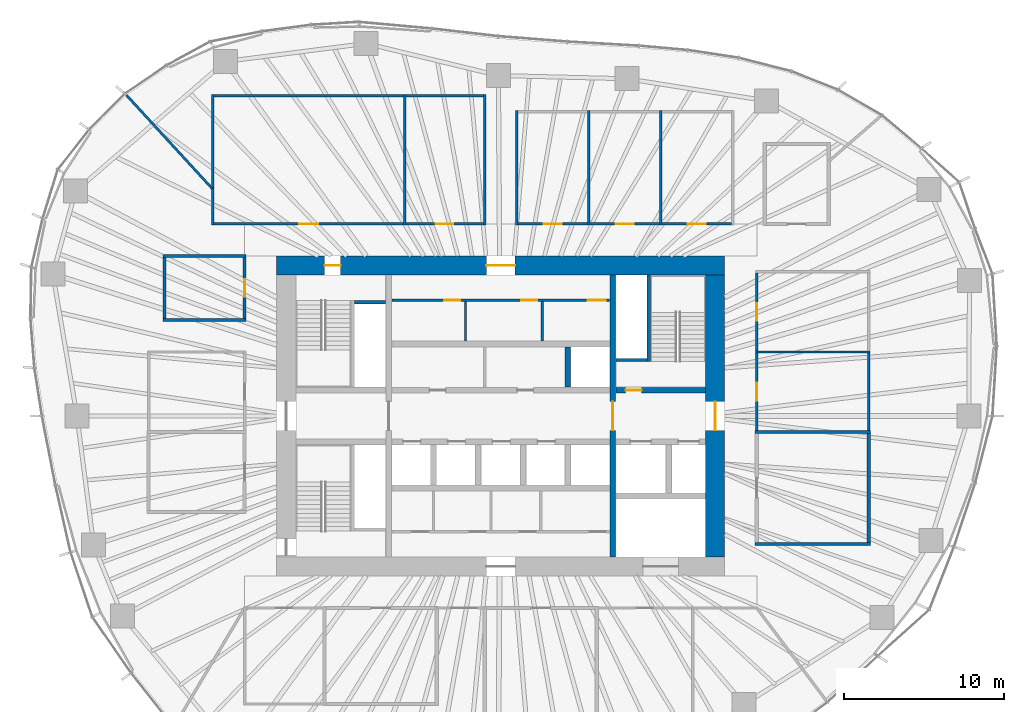
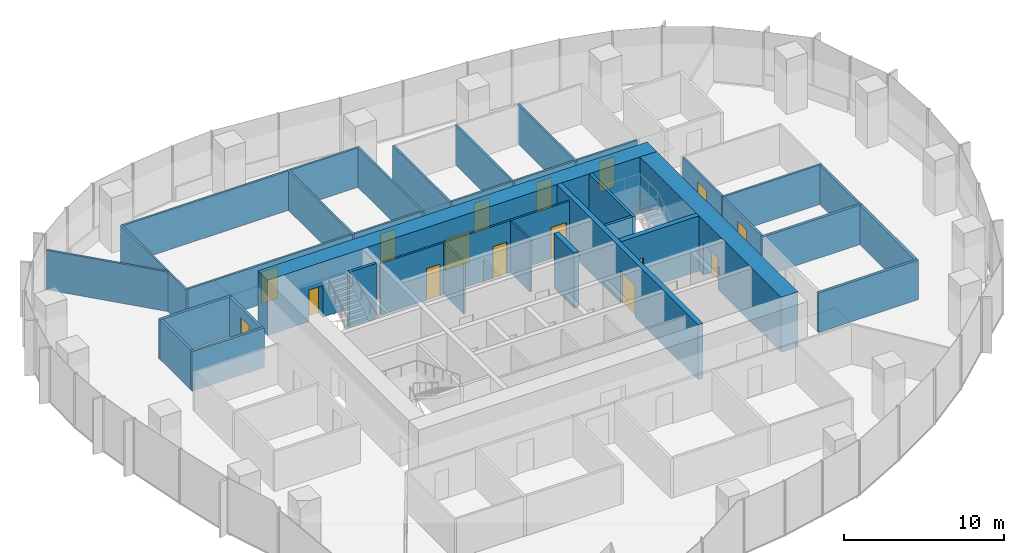
# One storey, part 10 of 18: 36 walls, 16 doors, 16 openings.
"""IFC4 building model written with IfcOpenShell, lengths in metres."""

from ifc_helpers import new_model, si_unit, direction, frame, frame_2d, origin, place, context, subcontext, project, spatial, rectangle, extrude, material, layer, layer_set, type_object, element, fill, save


model = new_model("IFC4")

# Units and contexts
model_context = context("Model", 3, precision=1e-05, world=origin(), true_north=direction((0.0, 1.0)))
body_context = subcontext(model_context, "Body", "Model", "MODEL_VIEW")
ifc_project = project(units=[si_unit("LENGTHUNIT", "METRE"), si_unit("AREAUNIT", "SQUARE_METRE"), si_unit("VOLUMEUNIT", "CUBIC_METRE"), si_unit("PLANEANGLEUNIT", "RADIAN"), si_unit("MASSUNIT", "GRAM", prefix="KILO")], contexts=[model_context])

# Site, building, storey
site_placement = place(None, origin())
site = spatial("IfcSite", under=ifc_project, at=site_placement, CompositionType="ELEMENT")
building_placement = place(site_placement, origin())
building = spatial("IfcBuilding", under=site, at=building_placement, Name="Ghaith Harvest Tower", CompositionType="ELEMENT")
storey_placement = place(building_placement, frame((0.0, 0.0, 121.800048828125)))
storey = spatial("IfcBuildingStorey", under=building, at=storey_placement, Name="L25", CompositionType="ELEMENT", Elevation=121.800048828125)

# Walls
ifc_material_1 = material(Name="Twin-stud gypsum board, acoustic", Category="gypsum")
ifc_layer_1 = layer(ifc_material_1, 0.199951171875)
ifc_layer_set_1 = layer_set([ifc_layer_1], Name="ACOUSTIC PARTITION 200")
wall_type_1 = type_object("IfcWallType", Name="ACOUSTIC PARTITION 200", PredefinedType="PARTITIONING", material=ifc_layer_set_1)
for number, where, z_axis, x_axis, name in (
    (1, (15.89990234375, -8.0, 0.0), (0.0, 0.0, 1.0), (1.0, 0.0, 0.0), "Partition L25 row E5 cross wall 1"),
    (2, (15.89990234375, -1.0, 0.0), (0.0, 0.0, 1.0), (1.0, 0.0, 0.0), "Partition L25 row E5 cross wall 2"),
):
    element("IfcWall", number, at=place(storey_placement, frame(where, z_axis=z_axis, x_axis=x_axis)), inside=storey, type_object=wall_type_1, Name=name, PredefinedType="PARTITIONING", context=body_context, shape_type="SweptSolid", body=[
        extrude(rectangle(XDim=7.2001953125, YDim=0.199951171875, at=frame_2d((3.60009765625, 0.0))), origin(), (0.0, 0.0, 1.0), 3.0),
    ])
wall_1_placement = place(storey_placement, frame((23.0, -7.89990234375, 0.0), z_axis=(0.0, 0.0, 1.0), x_axis=(0.0, 1.0, 0.0)))
element("IfcWall", 3, at=wall_1_placement, inside=storey, type_object=wall_type_1, Name="Partition L25-10", PredefinedType="PARTITIONING", context=body_context, shape_type="SweptSolid", body=[
    extrude(rectangle(XDim=6.7998046875, YDim=0.199951171875, at=frame_2d((3.39990234375, 0.0))), origin(), (0.0, 0.0, 1.0), 3.0),
])
for number, where, z_axis, x_axis, name in (
    (4, (-15.89990234375, 6.0, 0.0), (0.0, 0.0, 1.0), (-1.0, 0.0, 0.0), "Partition L25 row W8 cross wall 1"),
    (5, (-15.89990234375, 10.0, 0.0), (0.0, 0.0, 1.0), (-1.0, 0.0, 0.0), "Partition L25 row W8 cross wall 2"),
):
    element("IfcWall", number, at=place(storey_placement, frame(where, z_axis=z_axis, x_axis=x_axis)), inside=storey, type_object=wall_type_1, Name=name, PredefinedType="PARTITIONING", context=body_context, shape_type="SweptSolid", body=[
        extrude(rectangle(XDim=5.2001953125, YDim=0.199951171875, at=frame_2d((2.60009765625, 0.0))), origin(), (0.0, 0.0, 1.0), 3.0),
    ])

# Wall, opening, door
wall_2_placement = place(storey_placement, frame((-16.0, 6.10009765625, 0.0), z_axis=(0.0, 0.0, 1.0), x_axis=(0.0, 1.0, 0.0)))
wall_2 = element("IfcWall", 6, at=wall_2_placement, inside=storey, type_object=wall_type_1, Name="Partition L25-16", PredefinedType="PARTITIONING", context=body_context, shape_type="SweptSolid", body=[
    extrude(rectangle(XDim=3.7998046875, YDim=0.199951171875, at=frame_2d((1.89990234375, 0.0))), origin(), (0.0, 0.0, 1.0), 3.0),
])
opening_1_placement = place(wall_2_placement, frame((1.35009765625, 0.0, 0.0)))
opening_1 = element("IfcOpeningElement", 7, at=opening_1_placement, cuts=wall_2, Name="Opening 25-041", PredefinedType="OPENING", context=body_context, shape_type="SweptSolid", body=[
    extrude(rectangle(XDim=1.10009765625, YDim=2.300048828125, at=frame_2d((0.550048828125, 1.14990234375))), frame((0.0, 0.10986328125, 0.0), z_axis=(0.0, -1.0, 0.0), x_axis=(1.0, 0.0, 0.0)), (0.0, 0.0, 1.0), 0.219970703125),
])
ifc_material_2 = material(Name="Timber-framed glazed door", Category="wood")
door_type_1 = type_object("IfcDoorType", Name="D12 GLAZED OFFICE 1100x2300", OperationType="SINGLE_SWING_LEFT", PredefinedType="DOOR", material=ifc_material_2)
door_1_placement = place(opening_1_placement, origin())
door_1 = element("IfcDoor", 8, at=door_1_placement, inside=storey, type_object=door_type_1, Name="Quiet room door", OperationType="SINGLE_SWING_LEFT", OverallHeight=2.300048828125, OverallWidth=1.10009765625, PredefinedType="DOOR", context=body_context, shape_type="SweptSolid", body=[
    extrude(rectangle(XDim=1.10009765625, YDim=2.300048828125, at=frame_2d((0.550048828125, 1.14990234375))), frame((0.0, 0.02490234375, 0.0), z_axis=(0.0, -1.0, 0.0), x_axis=(1.0, 0.0, 0.0)), (0.0, 0.0, 1.0), 0.050048828125),
])
fill(opening_1, door_1)

# Wall
wall_3_placement = place(storey_placement, frame((-21.0, 6.10009765625, 0.0), z_axis=(0.0, 0.0, 1.0), x_axis=(0.0, 1.0, 0.0)))
element("IfcWall", 9, at=wall_3_placement, inside=storey, type_object=wall_type_1, Name="Partition L25-16", PredefinedType="PARTITIONING", context=body_context, shape_type="SweptSolid", body=[
    extrude(rectangle(XDim=3.7998046875, YDim=0.199951171875, at=frame_2d((1.89990234375, 0.0))), origin(), (0.0, 0.0, 1.0), 3.0),
])

# Wall, openings, doors
ifc_material_3 = material(Name="Concrete blockwork, fair-faced", Category="masonry")
ifc_layer_2 = layer(ifc_material_3, 0.139892578125)
ifc_layer_set_2 = layer_set([ifc_layer_2], Name="CORE PARTITION 140")
wall_type_2 = type_object("IfcWallType", Name="CORE PARTITION 140", PredefinedType="PARTITIONING", material=ifc_layer_set_2)
wall_4_placement = place(storey_placement, frame((-6.800048828125, 7.22998046875, 0.0), z_axis=(0.0, 0.0, 1.0), x_axis=(1.0, 0.0, 0.0)))
wall_4 = element("IfcWall", 10, at=wall_4_placement, inside=storey, type_object=wall_type_2, Name="Core partition L25", PredefinedType="PARTITIONING", context=body_context, shape_type="SweptSolid", body=[
    extrude(rectangle(XDim=13.60009765625, YDim=0.139892578125, at=frame_2d((6.800048828125, 0.0))), origin(), (0.0, 0.0, 1.0), 3.949951171875),
])
opening_2_placement = place(wall_4_placement, frame((3.280029296875, 0.0, 0.0)))
opening_2 = element("IfcOpeningElement", 11, at=opening_2_placement, cuts=wall_4, Name="Opening 25-008", PredefinedType="OPENING", context=body_context, shape_type="SweptSolid", body=[
    extrude(rectangle(XDim=1.0, YDim=2.39990234375, at=frame_2d((0.5, 1.199951171875))), frame((0.0, 0.080078125, 0.0), z_axis=(0.0, -1.0, 0.0), x_axis=(1.0, 0.0, 0.0)), (0.0, 0.0, 1.0), 0.159912109375),
])
opening_3_placement = place(wall_4_placement, frame((8.080078125, 0.0, 0.0)))
opening_3 = element("IfcOpeningElement", 12, at=opening_3_placement, cuts=wall_4, Name="Opening 25-009", PredefinedType="OPENING", context=body_context, shape_type="SweptSolid", body=[
    extrude(rectangle(XDim=1.0, YDim=2.39990234375, at=frame_2d((0.5, 1.199951171875))), frame((0.0, 0.080078125, 0.0), z_axis=(0.0, -1.0, 0.0), x_axis=(1.0, 0.0, 0.0)), (0.0, 0.0, 1.0), 0.159912109375),
])
opening_4_placement = place(wall_4_placement, frame((12.25, 0.0, 0.0)))
opening_4 = element("IfcOpeningElement", 13, at=opening_4_placement, cuts=wall_4, Name="Opening 25-010", PredefinedType="OPENING", context=body_context, shape_type="SweptSolid", body=[
    extrude(rectangle(XDim=1.10009765625, YDim=2.39990234375, at=frame_2d((0.550048828125, 1.199951171875))), frame((0.0, 0.080078125, 0.0), z_axis=(0.0, -1.0, 0.0), x_axis=(1.0, 0.0, 0.0)), (0.0, 0.0, 1.0), 0.159912109375),
])
ifc_material_4 = material(Name="Steel fire door", Category="steel")
door_type_2 = type_object("IfcDoorType", Name="D3 FD90 1000x2400", OperationType="SINGLE_SWING_LEFT", PredefinedType="DOOR", material=ifc_material_4)
door_2_placement = place(opening_2_placement, origin())
door_2 = element("IfcDoor", 14, at=door_2_placement, inside=storey, type_object=door_type_2, Name="Female WC door", OperationType="SINGLE_SWING_LEFT", OverallHeight=2.39990234375, OverallWidth=1.0, PredefinedType="DOOR", context=body_context, shape_type="SweptSolid", body=[
    extrude(rectangle(XDim=1.0, YDim=2.39990234375, at=frame_2d((0.5, 1.199951171875))), frame((0.0, 0.02490234375, 0.0), z_axis=(0.0, -1.0, 0.0), x_axis=(1.0, 0.0, 0.0)), (0.0, 0.0, 1.0), 0.050048828125),
])
fill(opening_2, door_2)
door_3_placement = place(opening_3_placement, origin())
door_3 = element("IfcDoor", 15, at=door_3_placement, inside=storey, type_object=door_type_2, Name="Male WC door", OperationType="SINGLE_SWING_RIGHT", OverallHeight=2.39990234375, OverallWidth=1.0, PredefinedType="DOOR", context=body_context, shape_type="SweptSolid", body=[
    extrude(rectangle(XDim=1.0, YDim=2.39990234375, at=frame_2d((0.5, 1.199951171875))), frame((0.0, 0.02490234375, 0.0), z_axis=(0.0, -1.0, 0.0), x_axis=(1.0, 0.0, 0.0)), (0.0, 0.0, 1.0), 0.050048828125),
])
fill(opening_3, door_3)
ifc_material_5 = material(Name="Steel fire door", Category="steel")
door_type_3 = type_object("IfcDoorType", Name="D9 FD90 1100x2400", OperationType="SINGLE_SWING_LEFT", PredefinedType="DOOR", material=ifc_material_5)
door_4_placement = place(opening_4_placement, origin())
door_4 = element("IfcDoor", 16, at=door_4_placement, inside=storey, type_object=door_type_3, Name="Accessible WC door", OperationType="SINGLE_SWING_RIGHT", OverallHeight=2.39990234375, OverallWidth=1.10009765625, PredefinedType="DOOR", context=body_context, shape_type="SweptSolid", body=[
    extrude(rectangle(XDim=1.10009765625, YDim=2.39990234375, at=frame_2d((0.550048828125, 1.199951171875))), frame((0.0, 0.02490234375, 0.0), z_axis=(0.0, -1.0, 0.0), x_axis=(1.0, 0.0, 0.0)), (0.0, 0.0, 1.0), 0.050048828125),
])
fill(opening_4, door_4)

# Walls
for number, where, z_axis, x_axis, name in (
    (17, (-2.199951171875, 4.699951171875, 0.0), (0.0, 0.0, 1.0), (0.0, 1.0, 0.0), "Core partition L25"),
    (18, (2.60009765625, 4.699951171875, 0.0), (0.0, 0.0, 1.0), (0.0, 1.0, 0.0), "Core partition L25"),
):
    element("IfcWall", number, at=place(storey_placement, frame(where, z_axis=z_axis, x_axis=x_axis)), inside=storey, type_object=wall_type_2, Name=name, PredefinedType="PARTITIONING", context=body_context, shape_type="SweptSolid", body=[
        extrude(rectangle(XDim=2.4599609375, YDim=0.139892578125, at=frame_2d((1.22998046875, 0.0))), origin(), (0.0, 0.0, 1.0), 3.949951171875),
    ])

# Wall, openings, doors
ifc_material_6 = material(Name="Concrete C60/75", Category="concrete")
ifc_layer_3 = layer(ifc_material_6, 1.199951171875)
ifc_layer_set_3 = layer_set([ifc_layer_3], Name="CORE WALL CW1200 C60")
wall_type_3 = type_object("IfcWallType", Name="CORE WALL CW1200 C60", PredefinedType="SHEAR", material=ifc_layer_set_3)
wall_5_placement = place(storey_placement, frame((14.0, 9.39990234375, 0.0), z_axis=(0.0, 0.0, 1.0), x_axis=(-1.0, 0.0, 0.0)))
wall_5 = element("IfcWall", 19, at=wall_5_placement, inside=storey, type_object=wall_type_3, Name="Core wall N L25", PredefinedType="SHEAR", context=body_context, shape_type="SweptSolid", body=[
    extrude(rectangle(XDim=28.0, YDim=1.199951171875, at=frame_2d((14.0, 0.0))), origin(), (0.0, 0.0, 1.0), 4.199951171875),
])
opening_5_placement = place(wall_5_placement, frame((24.0, 0.0, 0.0)))
opening_5 = element("IfcOpeningElement", 20, at=opening_5_placement, cuts=wall_5, Name="Opening 25-005", PredefinedType="OPENING", context=body_context, shape_type="SweptSolid", body=[
    extrude(rectangle(XDim=1.0, YDim=2.39990234375, at=frame_2d((0.5, 1.199951171875))), frame((0.0, 0.60986328125, 0.0), z_axis=(0.0, -1.0, 0.0), x_axis=(1.0, 0.0, 0.0)), (0.0, 0.0, 1.0), 1.219970703125),
])
opening_6_placement = place(wall_5_placement, frame((13.10009765625, 0.0, 0.0)))
opening_6 = element("IfcOpeningElement", 21, at=opening_6_placement, cuts=wall_5, Name="Opening 25-017", PredefinedType="OPENING", context=body_context, shape_type="SweptSolid", body=[
    extrude(rectangle(XDim=1.800048828125, YDim=2.39990234375, at=frame_2d((0.89990234375, 1.199951171875))), frame((0.0, 0.60986328125, 0.0), z_axis=(0.0, -1.0, 0.0), x_axis=(1.0, 0.0, 0.0)), (0.0, 0.0, 1.0), 1.219970703125),
])
door_5_placement = place(opening_5_placement, origin())
door_5 = element("IfcDoor", 22, at=door_5_placement, inside=storey, type_object=door_type_2, Name="Stair ST1 door", OperationType="SINGLE_SWING_RIGHT", OverallHeight=2.39990234375, OverallWidth=1.0, PredefinedType="DOOR", context=body_context, shape_type="SweptSolid", body=[
    extrude(rectangle(XDim=1.0, YDim=2.39990234375, at=frame_2d((0.5, 1.199951171875))), frame((0.0, 0.02490234375, 0.0), z_axis=(0.0, -1.0, 0.0), x_axis=(1.0, 0.0, 0.0)), (0.0, 0.0, 1.0), 0.050048828125),
])
fill(opening_5, door_5)
ifc_material_7 = material(Name="Steel fire door", Category="steel")
door_type_4 = type_object("IfcDoorType", Name="D4 FD90 PAIR 1800x2400", OperationType="DOUBLE_DOOR_SINGLE_SWING", PredefinedType="DOOR", material=ifc_material_7)
door_6_placement = place(opening_6_placement, origin())
door_6 = element("IfcDoor", 23, at=door_6_placement, inside=storey, type_object=door_type_4, Name="Core service corridor doors", OperationType="DOUBLE_DOOR_SINGLE_SWING", OverallHeight=2.39990234375, OverallWidth=1.800048828125, PredefinedType="DOOR", context=body_context, shape_type="SweptSolid", body=[
    extrude(rectangle(XDim=1.800048828125, YDim=2.39990234375, at=frame_2d((0.89990234375, 1.199951171875))), frame((0.0, 0.02490234375, 0.0), z_axis=(0.0, -1.0, 0.0), x_axis=(1.0, 0.0, 0.0)), (0.0, 0.0, 1.0), 0.050048828125),
])
fill(opening_6, door_6)

# Wall, opening, door
wall_6_placement = place(storey_placement, frame((13.39990234375, -8.800048828125, 0.0), z_axis=(0.0, 0.0, 1.0), x_axis=(0.0, 1.0, 0.0)))
wall_6 = element("IfcWall", 24, at=wall_6_placement, inside=storey, type_object=wall_type_3, Name="Core wall E L25", PredefinedType="SHEAR", context=body_context, shape_type="SweptSolid", body=[
    extrude(rectangle(XDim=17.60009765625, YDim=1.199951171875, at=frame_2d((8.800048828125, 0.0))), origin(), (0.0, 0.0, 1.0), 4.199951171875),
])
opening_7_placement = place(wall_6_placement, frame((7.89990234375, 0.0, 0.0)))
opening_7 = element("IfcOpeningElement", 25, at=opening_7_placement, cuts=wall_6, Name="Opening 25-002", PredefinedType="OPENING", context=body_context, shape_type="SweptSolid", body=[
    extrude(rectangle(XDim=1.800048828125, YDim=2.39990234375, at=frame_2d((0.89990234375, 1.199951171875))), frame((0.0, 0.60986328125, 0.0), z_axis=(0.0, -1.0, 0.0), x_axis=(1.0, 0.0, 0.0)), (0.0, 0.0, 1.0), 1.219970703125),
])
door_7_placement = place(opening_7_placement, origin())
door_7 = element("IfcDoor", 26, at=door_7_placement, inside=storey, type_object=door_type_4, Name="Fire-fighting lobby doors", OperationType="DOUBLE_DOOR_SINGLE_SWING", OverallHeight=2.39990234375, OverallWidth=1.800048828125, PredefinedType="DOOR", context=body_context, shape_type="SweptSolid", body=[
    extrude(rectangle(XDim=1.800048828125, YDim=2.39990234375, at=frame_2d((0.89990234375, 1.199951171875))), frame((0.0, 0.02490234375, 0.0), z_axis=(0.0, -1.0, 0.0), x_axis=(1.0, 0.0, 0.0)), (0.0, 0.0, 1.0), 0.050048828125),
])
fill(opening_7, door_7)

# Walls
ifc_material_8 = material(Name="Gypsum board on steel studs", Category="steel")
ifc_layer_4 = layer(ifc_material_8, 0.14990234375)
ifc_layer_set_4 = layer_set([ifc_layer_4], Name="PARTITION 150")
wall_type_4 = type_object("IfcWallType", Name="PARTITION 150", PredefinedType="PARTITIONING", material=ifc_layer_set_4)
for number, where, z_axis, x_axis, name in (
    (27, (-18.0, 11.925048828125, 0.0), (0.0, 0.0, 1.0), (0.0, 1.0, 0.0), "Partition L25 row N1 cross wall 1"),
    (28, (-6.0, 11.925048828125, 0.0), (0.0, 0.0, 1.0), (0.0, 1.0, 0.0), "Partition L25 row N1 cross wall 2"),
    (29, (-1.0, 11.925048828125, 0.0), (0.0, 0.0, 1.0), (0.0, 1.0, 0.0), "Partition L25 row N1 cross wall 3"),
):
    element("IfcWall", number, at=place(storey_placement, frame(where, z_axis=z_axis, x_axis=x_axis)), inside=storey, type_object=wall_type_4, Name=name, PredefinedType="PARTITIONING", context=body_context, shape_type="SweptSolid", body=[
        extrude(rectangle(XDim=8.14990234375, YDim=0.14990234375, at=frame_2d((4.074951171875, 0.0))), origin(), (0.0, 0.0, 1.0), 3.0),
    ])

# Wall, opening, door
wall_7_placement = place(storey_placement, frame((-17.925048828125, 12.0, 0.0), z_axis=(0.0, 0.0, 1.0), x_axis=(1.0, 0.0, 0.0)))
wall_7 = element("IfcWall", 30, at=wall_7_placement, inside=storey, type_object=wall_type_4, Name="Partition L25-01", PredefinedType="PARTITIONING", context=body_context, shape_type="SweptSolid", body=[
    extrude(rectangle(XDim=11.85009765625, YDim=0.14990234375, at=frame_2d((5.925048828125, 0.0))), origin(), (0.0, 0.0, 1.0), 3.0),
])
opening_8_placement = place(wall_7_placement, frame((5.324951171875, 0.0, 0.0)))
opening_8 = element("IfcOpeningElement", 31, at=opening_8_placement, cuts=wall_7, Name="Opening 25-026", PredefinedType="OPENING", context=body_context, shape_type="SweptSolid", body=[
    extrude(rectangle(XDim=1.199951171875, YDim=2.39990234375, at=frame_2d((0.60009765625, 1.199951171875))), frame((0.0, 0.0849609375, 0.0), z_axis=(0.0, -1.0, 0.0), x_axis=(1.0, 0.0, 0.0)), (0.0, 0.0, 1.0), 0.169921875),
])
ifc_material_9 = material(Name="Timber door", Category="wood")
door_type_5 = type_object("IfcDoorType", Name="D11 GLAZED 1200x2400", OperationType="SINGLE_SWING_LEFT", PredefinedType="DOOR", material=ifc_material_9)
door_8_placement = place(opening_8_placement, origin())
door_8 = element("IfcDoor", 32, at=door_8_placement, inside=storey, type_object=door_type_5, Name="Agronomy studio door", OperationType="SINGLE_SWING_LEFT", OverallHeight=2.39990234375, OverallWidth=1.199951171875, PredefinedType="DOOR", context=body_context, shape_type="SweptSolid", body=[
    extrude(rectangle(XDim=1.199951171875, YDim=2.39990234375, at=frame_2d((0.60009765625, 1.199951171875))), frame((0.0, 0.02490234375, 0.0), z_axis=(0.0, -1.0, 0.0), x_axis=(1.0, 0.0, 0.0)), (0.0, 0.0, 1.0), 0.050048828125),
])
fill(opening_8, door_8)

# Wall
wall_8_placement = place(storey_placement, frame((-17.925048828125, 20.0, 0.0), z_axis=(0.0, 0.0, 1.0), x_axis=(1.0, 0.0, 0.0)))
element("IfcWall", 33, at=wall_8_placement, inside=storey, type_object=wall_type_4, Name="Partition L25-01", PredefinedType="PARTITIONING", context=body_context, shape_type="SweptSolid", body=[
    extrude(rectangle(XDim=11.85009765625, YDim=0.14990234375, at=frame_2d((5.925048828125, 0.0))), origin(), (0.0, 0.0, 1.0), 3.0),
])

# Wall, opening, door
wall_9_placement = place(storey_placement, frame((-5.925048828125, 12.0, 0.0), z_axis=(0.0, 0.0, 1.0), x_axis=(1.0, 0.0, 0.0)))
wall_9 = element("IfcWall", 34, at=wall_9_placement, inside=storey, type_object=wall_type_4, Name="Partition L25-02", PredefinedType="PARTITIONING", context=body_context, shape_type="SweptSolid", body=[
    extrude(rectangle(XDim=4.85009765625, YDim=0.14990234375, at=frame_2d((2.425048828125, 0.0))), origin(), (0.0, 0.0, 1.0), 3.0),
])
opening_9_placement = place(wall_9_placement, frame((1.875, 0.0, 0.0)))
opening_9 = element("IfcOpeningElement", 35, at=opening_9_placement, cuts=wall_9, Name="Opening 25-027", PredefinedType="OPENING", context=body_context, shape_type="SweptSolid", body=[
    extrude(rectangle(XDim=1.10009765625, YDim=2.300048828125, at=frame_2d((0.550048828125, 1.14990234375))), frame((0.0, 0.0849609375, 0.0), z_axis=(0.0, -1.0, 0.0), x_axis=(1.0, 0.0, 0.0)), (0.0, 0.0, 1.0), 0.169921875),
])
door_9_placement = place(opening_9_placement, origin())
door_9 = element("IfcDoor", 36, at=door_9_placement, inside=storey, type_object=door_type_1, Name="Office door", OperationType="SINGLE_SWING_LEFT", OverallHeight=2.300048828125, OverallWidth=1.10009765625, PredefinedType="DOOR", context=body_context, shape_type="SweptSolid", body=[
    extrude(rectangle(XDim=1.10009765625, YDim=2.300048828125, at=frame_2d((0.550048828125, 1.14990234375))), frame((0.0, 0.02490234375, 0.0), z_axis=(0.0, -1.0, 0.0), x_axis=(1.0, 0.0, 0.0)), (0.0, 0.0, 1.0), 0.050048828125),
])
fill(opening_9, door_9)

# Walls
wall_10_placement = place(storey_placement, frame((-5.925048828125, 20.0, 0.0), z_axis=(0.0, 0.0, 1.0), x_axis=(1.0, 0.0, 0.0)))
element("IfcWall", 37, at=wall_10_placement, inside=storey, type_object=wall_type_4, Name="Partition L25-02", PredefinedType="PARTITIONING", context=body_context, shape_type="SweptSolid", body=[
    extrude(rectangle(XDim=4.85009765625, YDim=0.14990234375, at=frame_2d((2.425048828125, 0.0))), origin(), (0.0, 0.0, 1.0), 3.0),
])
for number, where, z_axis, x_axis, name in (
    (38, (1.0, 11.925048828125, 0.0), (0.0, 0.0, 1.0), (0.0, 1.0, 0.0), "Partition L25 row N2 cross wall 1"),
    (39, (5.5, 11.925048828125, 0.0), (0.0, 0.0, 1.0), (0.0, 1.0, 0.0), "Partition L25 row N2 cross wall 2"),
    (40, (10.0, 11.925048828125, 0.0), (0.0, 0.0, 1.0), (0.0, 1.0, 0.0), "Partition L25 row N2 cross wall 3"),
):
    element("IfcWall", number, at=place(storey_placement, frame(where, z_axis=z_axis, x_axis=x_axis)), inside=storey, type_object=wall_type_4, Name=name, PredefinedType="PARTITIONING", context=body_context, shape_type="SweptSolid", body=[
        extrude(rectangle(XDim=7.14990234375, YDim=0.14990234375, at=frame_2d((3.574951171875, 0.0))), origin(), (0.0, 0.0, 1.0), 3.0),
    ])

# Wall, opening, door
wall_11_placement = place(storey_placement, frame((1.074951171875, 12.0, 0.0), z_axis=(0.0, 0.0, 1.0), x_axis=(1.0, 0.0, 0.0)))
wall_11 = element("IfcWall", 41, at=wall_11_placement, inside=storey, type_object=wall_type_4, Name="Partition L25-03", PredefinedType="PARTITIONING", context=body_context, shape_type="SweptSolid", body=[
    extrude(rectangle(XDim=4.35009765625, YDim=0.14990234375, at=frame_2d((2.175048828125, 0.0))), origin(), (0.0, 0.0, 1.0), 3.0),
])
opening_10_placement = place(wall_11_placement, frame((1.625, 0.0, 0.0)))
opening_10 = element("IfcOpeningElement", 42, at=opening_10_placement, cuts=wall_11, Name="Opening 25-028", PredefinedType="OPENING", context=body_context, shape_type="SweptSolid", body=[
    extrude(rectangle(XDim=1.10009765625, YDim=2.300048828125, at=frame_2d((0.550048828125, 1.14990234375))), frame((0.0, 0.0849609375, 0.0), z_axis=(0.0, -1.0, 0.0), x_axis=(1.0, 0.0, 0.0)), (0.0, 0.0, 1.0), 0.169921875),
])
door_10_placement = place(opening_10_placement, origin())
door_10 = element("IfcDoor", 43, at=door_10_placement, inside=storey, type_object=door_type_1, Name="Office door", OperationType="SINGLE_SWING_LEFT", OverallHeight=2.300048828125, OverallWidth=1.10009765625, PredefinedType="DOOR", context=body_context, shape_type="SweptSolid", body=[
    extrude(rectangle(XDim=1.10009765625, YDim=2.300048828125, at=frame_2d((0.550048828125, 1.14990234375))), frame((0.0, 0.02490234375, 0.0), z_axis=(0.0, -1.0, 0.0), x_axis=(1.0, 0.0, 0.0)), (0.0, 0.0, 1.0), 0.050048828125),
])
fill(opening_10, door_10)

wall_12_placement = place(storey_placement, frame((5.574951171875, 12.0, 0.0), z_axis=(0.0, 0.0, 1.0), x_axis=(1.0, 0.0, 0.0)))
wall_12 = element("IfcWall", 44, at=wall_12_placement, inside=storey, type_object=wall_type_4, Name="Partition L25-04", PredefinedType="PARTITIONING", context=body_context, shape_type="SweptSolid", body=[
    extrude(rectangle(XDim=4.35009765625, YDim=0.14990234375, at=frame_2d((2.175048828125, 0.0))), origin(), (0.0, 0.0, 1.0), 3.0),
])
opening_11_placement = place(wall_12_placement, frame((1.625, 0.0, 0.0)))
opening_11 = element("IfcOpeningElement", 45, at=opening_11_placement, cuts=wall_12, Name="Opening 25-029", PredefinedType="OPENING", context=body_context, shape_type="SweptSolid", body=[
    extrude(rectangle(XDim=1.10009765625, YDim=2.300048828125, at=frame_2d((0.550048828125, 1.14990234375))), frame((0.0, 0.0849609375, 0.0), z_axis=(0.0, -1.0, 0.0), x_axis=(1.0, 0.0, 0.0)), (0.0, 0.0, 1.0), 0.169921875),
])
door_11_placement = place(opening_11_placement, origin())
door_11 = element("IfcDoor", 46, at=door_11_placement, inside=storey, type_object=door_type_1, Name="Office door", OperationType="SINGLE_SWING_LEFT", OverallHeight=2.300048828125, OverallWidth=1.10009765625, PredefinedType="DOOR", context=body_context, shape_type="SweptSolid", body=[
    extrude(rectangle(XDim=1.10009765625, YDim=2.300048828125, at=frame_2d((0.550048828125, 1.14990234375))), frame((0.0, 0.02490234375, 0.0), z_axis=(0.0, -1.0, 0.0), x_axis=(1.0, 0.0, 0.0)), (0.0, 0.0, 1.0), 0.050048828125),
])
fill(opening_11, door_11)

wall_13_placement = place(storey_placement, frame((10.074951171875, 12.0, 0.0), z_axis=(0.0, 0.0, 1.0), x_axis=(1.0, 0.0, 0.0)))
wall_13 = element("IfcWall", 47, at=wall_13_placement, inside=storey, type_object=wall_type_4, Name="Partition L25-05", PredefinedType="PARTITIONING", context=body_context, shape_type="SweptSolid", body=[
    extrude(rectangle(XDim=4.35009765625, YDim=0.14990234375, at=frame_2d((2.175048828125, 0.0))), origin(), (0.0, 0.0, 1.0), 3.0),
])
opening_12_placement = place(wall_13_placement, frame((1.625, 0.0, 0.0)))
opening_12 = element("IfcOpeningElement", 48, at=opening_12_placement, cuts=wall_13, Name="Opening 25-030", PredefinedType="OPENING", context=body_context, shape_type="SweptSolid", body=[
    extrude(rectangle(XDim=1.10009765625, YDim=2.300048828125, at=frame_2d((0.550048828125, 1.14990234375))), frame((0.0, 0.0849609375, 0.0), z_axis=(0.0, -1.0, 0.0), x_axis=(1.0, 0.0, 0.0)), (0.0, 0.0, 1.0), 0.169921875),
])
door_12_placement = place(opening_12_placement, origin())
door_12 = element("IfcDoor", 49, at=door_12_placement, inside=storey, type_object=door_type_1, Name="Office door", OperationType="SINGLE_SWING_LEFT", OverallHeight=2.300048828125, OverallWidth=1.10009765625, PredefinedType="DOOR", context=body_context, shape_type="SweptSolid", body=[
    extrude(rectangle(XDim=1.10009765625, YDim=2.300048828125, at=frame_2d((0.550048828125, 1.14990234375))), frame((0.0, 0.02490234375, 0.0), z_axis=(0.0, -1.0, 0.0), x_axis=(1.0, 0.0, 0.0)), (0.0, 0.0, 1.0), 0.050048828125),
])
fill(opening_12, door_12)

# Wall
wall_14_placement = place(storey_placement, frame((15.925048828125, 4.0, 0.0), z_axis=(0.0, 0.0, 1.0), x_axis=(1.0, 0.0, 0.0)))
element("IfcWall", 50, at=wall_14_placement, inside=storey, type_object=wall_type_4, Name="Partition L25 row E5 cross wall 3", PredefinedType="PARTITIONING", context=body_context, shape_type="SweptSolid", body=[
    extrude(rectangle(XDim=7.14990234375, YDim=0.14990234375, at=frame_2d((3.574951171875, 0.0))), origin(), (0.0, 0.0, 1.0), 3.0),
])

# Wall, opening, door
wall_15_placement = place(storey_placement, frame((16.0, -0.89990234375, 0.0), z_axis=(0.0, 0.0, 1.0), x_axis=(0.0, 1.0, 0.0)))
wall_15 = element("IfcWall", 51, at=wall_15_placement, inside=storey, type_object=wall_type_4, Name="Partition L25-11", PredefinedType="PARTITIONING", context=body_context, shape_type="SweptSolid", body=[
    extrude(rectangle(XDim=4.824951171875, YDim=0.14990234375, at=frame_2d((2.41259765625, 0.0))), origin(), (0.0, 0.0, 1.0), 3.0),
])
opening_13_placement = place(wall_15_placement, frame((1.862548828125, 0.0, 0.0)))
opening_13 = element("IfcOpeningElement", 52, at=opening_13_placement, cuts=wall_15, Name="Opening 25-036", PredefinedType="OPENING", context=body_context, shape_type="SweptSolid", body=[
    extrude(rectangle(XDim=1.10009765625, YDim=2.300048828125, at=frame_2d((0.550048828125, 1.14990234375))), frame((0.0, 0.0849609375, 0.0), z_axis=(0.0, -1.0, 0.0), x_axis=(1.0, 0.0, 0.0)), (0.0, 0.0, 1.0), 0.169921875),
])
door_13_placement = place(opening_13_placement, origin())
door_13 = element("IfcDoor", 53, at=door_13_placement, inside=storey, type_object=door_type_1, Name="Office door", OperationType="SINGLE_SWING_LEFT", OverallHeight=2.300048828125, OverallWidth=1.10009765625, PredefinedType="DOOR", context=body_context, shape_type="SweptSolid", body=[
    extrude(rectangle(XDim=1.10009765625, YDim=2.300048828125, at=frame_2d((0.550048828125, 1.14990234375))), frame((0.0, 0.02490234375, 0.0), z_axis=(0.0, -1.0, 0.0), x_axis=(1.0, 0.0, 0.0)), (0.0, 0.0, 1.0), 0.050048828125),
])
fill(opening_13, door_13)

# Wall
wall_16_placement = place(storey_placement, frame((23.0, -0.89990234375, 0.0), z_axis=(0.0, 0.0, 1.0), x_axis=(0.0, 1.0, 0.0)))
element("IfcWall", 54, at=wall_16_placement, inside=storey, type_object=wall_type_4, Name="Partition L25-11", PredefinedType="PARTITIONING", context=body_context, shape_type="SweptSolid", body=[
    extrude(rectangle(XDim=4.824951171875, YDim=0.14990234375, at=frame_2d((2.41259765625, 0.0))), origin(), (0.0, 0.0, 1.0), 3.0),
])

# Wall, opening, door
wall_17_placement = place(storey_placement, frame((16.0, 4.074951171875, 0.0), z_axis=(0.0, 0.0, 1.0), x_axis=(0.0, 1.0, 0.0)))
wall_17 = element("IfcWall", 55, at=wall_17_placement, inside=storey, type_object=wall_type_4, Name="Partition L25-12", PredefinedType="PARTITIONING", context=body_context, shape_type="SweptSolid", body=[
    extrude(rectangle(XDim=4.85009765625, YDim=0.14990234375, at=frame_2d((2.425048828125, 0.0))), origin(), (0.0, 0.0, 1.0), 3.0),
])
opening_14_placement = place(wall_17_placement, frame((1.875, 0.0, 0.0)))
opening_14 = element("IfcOpeningElement", 56, at=opening_14_placement, cuts=wall_17, Name="Opening 25-037", PredefinedType="OPENING", context=body_context, shape_type="SweptSolid", body=[
    extrude(rectangle(XDim=1.10009765625, YDim=2.300048828125, at=frame_2d((0.550048828125, 1.14990234375))), frame((0.0, 0.0849609375, 0.0), z_axis=(0.0, -1.0, 0.0), x_axis=(1.0, 0.0, 0.0)), (0.0, 0.0, 1.0), 0.169921875),
])
door_14_placement = place(opening_14_placement, origin())
door_14 = element("IfcDoor", 57, at=door_14_placement, inside=storey, type_object=door_type_1, Name="Office door", OperationType="SINGLE_SWING_LEFT", OverallHeight=2.300048828125, OverallWidth=1.10009765625, PredefinedType="DOOR", context=body_context, shape_type="SweptSolid", body=[
    extrude(rectangle(XDim=1.10009765625, YDim=2.300048828125, at=frame_2d((0.550048828125, 1.14990234375))), frame((0.0, 0.02490234375, 0.0), z_axis=(0.0, -1.0, 0.0), x_axis=(1.0, 0.0, 0.0)), (0.0, 0.0, 1.0), 0.050048828125),
])
fill(opening_14, door_14)

# Wall
wall_18_placement = place(storey_placement, frame((-18.02001953125, 14.200927734375, 0.0), z_axis=(0.0, 0.0, 1.0), x_axis=(-0.676162058246, 0.736752923977, 0.0)))
element("IfcWall", 58, at=wall_18_placement, inside=storey, type_object=wall_type_4, Name="Partition L25 zone division", PredefinedType="PARTITIONING", context=body_context, shape_type="SweptSolid", body=[
    extrude(rectangle(XDim=7.933837890625, YDim=0.14990234375, at=frame_2d((3.966796875, 0.0))), origin(), (0.0, 0.0, 1.0), 3.0),
])

# Wall, opening, door
ifc_material_10 = material(Name="Concrete C60/75", Category="concrete")
ifc_layer_5 = layer(ifc_material_10, 0.35009765625)
ifc_layer_set_5 = layer_set([ifc_layer_5], Name="SHAFT WALL 350")
wall_type_5 = type_object("IfcWallType", Name="SHAFT WALL 350", PredefinedType="SHEAR", material=ifc_layer_set_5)
wall_19_placement = place(storey_placement, frame((7.0, -8.800048828125, 0.0), z_axis=(0.0, 0.0, 1.0), x_axis=(0.0, 1.0, 0.0)))
wall_19 = element("IfcWall", 59, at=wall_19_placement, inside=storey, type_object=wall_type_5, Name="Shaft wall W7E L25", PredefinedType="SHEAR", context=body_context, shape_type="SweptSolid", body=[
    extrude(rectangle(XDim=17.60009765625, YDim=0.35009765625, at=frame_2d((8.800048828125, 0.0))), origin(), (0.0, 0.0, 1.0), 4.199951171875),
])
opening_15_placement = place(wall_19_placement, frame((7.89990234375, 0.0, 0.0)))
opening_15 = element("IfcOpeningElement", 60, at=opening_15_placement, cuts=wall_19, Name="Opening 25-004", PredefinedType="OPENING", context=body_context, shape_type="SweptSolid", body=[
    extrude(rectangle(XDim=1.800048828125, YDim=2.39990234375, at=frame_2d((0.89990234375, 1.199951171875))), frame((0.0, 0.18505859375, 0.0), z_axis=(0.0, -1.0, 0.0), x_axis=(1.0, 0.0, 0.0)), (0.0, 0.0, 1.0), 0.3701171875),
])
door_15_placement = place(opening_15_placement, origin())
door_15 = element("IfcDoor", 61, at=door_15_placement, inside=storey, type_object=door_type_4, Name="Lift lobby doors, east", OperationType="DOUBLE_DOOR_SINGLE_SWING", OverallHeight=2.39990234375, OverallWidth=1.800048828125, PredefinedType="DOOR", context=body_context, shape_type="SweptSolid", body=[
    extrude(rectangle(XDim=1.800048828125, YDim=2.39990234375, at=frame_2d((0.89990234375, 1.199951171875))), frame((0.0, 0.02490234375, 0.0), z_axis=(0.0, -1.0, 0.0), x_axis=(1.0, 0.0, 0.0)), (0.0, 0.0, 1.0), 0.050048828125),
])
fill(opening_15, door_15)

wall_20_placement = place(storey_placement, frame((7.199951171875, 1.60009765625, 0.0), z_axis=(0.0, 0.0, 1.0), x_axis=(1.0, 0.0, 0.0)))
wall_20 = element("IfcWall", 62, at=wall_20_placement, inside=storey, type_object=wall_type_5, Name="Shaft wall EN L25", PredefinedType="SHEAR", context=body_context, shape_type="SweptSolid", body=[
    extrude(rectangle(XDim=5.60009765625, YDim=0.35009765625, at=frame_2d((2.800048828125, 0.0))), origin(), (0.0, 0.0, 1.0), 4.199951171875),
])
opening_16_placement = place(wall_20_placement, frame((0.60009765625, 0.0, 0.0)))
opening_16 = element("IfcOpeningElement", 63, at=opening_16_placement, cuts=wall_20, Name="Opening 25-007", PredefinedType="OPENING", context=body_context, shape_type="SweptSolid", body=[
    extrude(rectangle(XDim=1.0, YDim=2.39990234375, at=frame_2d((0.5, 1.199951171875))), frame((0.0, 0.18505859375, 0.0), z_axis=(0.0, -1.0, 0.0), x_axis=(1.0, 0.0, 0.0)), (0.0, 0.0, 1.0), 0.3701171875),
])
door_16_placement = place(opening_16_placement, origin())
door_16 = element("IfcDoor", 64, at=door_16_placement, inside=storey, type_object=door_type_2, Name="Stair ST2 door", OperationType="SINGLE_SWING_LEFT", OverallHeight=2.39990234375, OverallWidth=1.0, PredefinedType="DOOR", context=body_context, shape_type="SweptSolid", body=[
    extrude(rectangle(XDim=1.0, YDim=2.39990234375, at=frame_2d((0.5, 1.199951171875))), frame((0.0, 0.02490234375, 0.0), z_axis=(0.0, -1.0, 0.0), x_axis=(1.0, 0.0, 0.0)), (0.0, 0.0, 1.0), 0.050048828125),
])
fill(opening_16, door_16)

# Walls
wall_21_placement = place(storey_placement, frame((4.199951171875, 1.800048828125, 0.0), z_axis=(0.0, 0.0, 1.0), x_axis=(0.0, 1.0, 0.0)))
element("IfcWall", 65, at=wall_21_placement, inside=storey, type_object=wall_type_5, Name="Shaft wall DN4 L25", PredefinedType="SHEAR", context=body_context, shape_type="SweptSolid", body=[
    extrude(rectangle(XDim=2.5, YDim=0.35009765625, at=frame_2d((1.25, 0.0))), origin(), (0.0, 0.0, 1.0), 4.199951171875),
])
ifc_material_11 = material(Name="Concrete C40/50", Category="concrete")
ifc_layer_6 = layer(ifc_material_11, 0.199951171875)
ifc_layer_set_6 = layer_set([ifc_layer_6], Name="STAIR SPINE WALL RC200")
wall_type_6 = type_object("IfcWallType", Name="STAIR SPINE WALL RC200", PredefinedType="SOLIDWALL", material=ifc_layer_set_6)
wall_22_placement = place(storey_placement, frame((-9.14990234375, 7.10009765625, 0.0), z_axis=(0.0, 0.0, 1.0), x_axis=(1.0, 0.0, 0.0)))
element("IfcWall", 66, at=wall_22_placement, inside=storey, type_object=wall_type_6, Name="Stair ST1 spine wall return L25", PredefinedType="SOLIDWALL", context=body_context, shape_type="SweptSolid", body=[
    extrude(rectangle(XDim=1.949951171875, YDim=0.199951171875, at=frame_2d((0.97509765625, 0.0))), origin(), (0.0, 0.0, 1.0), 4.199951171875),
])
wall_23_placement = place(storey_placement, frame((9.25, 3.39990234375, 0.0), z_axis=(0.0, 0.0, 1.0), x_axis=(0.0, 1.0, 0.0)))
element("IfcWall", 67, at=wall_23_placement, inside=storey, type_object=wall_type_6, Name="Stair ST2 spine wall L25", PredefinedType="SOLIDWALL", context=body_context, shape_type="SweptSolid", body=[
    extrude(rectangle(XDim=5.400146484375, YDim=0.199951171875, at=frame_2d((2.7001953125, 0.0))), origin(), (0.0, 0.0, 1.0), 4.199951171875),
])
wall_24_placement = place(storey_placement, frame((9.14990234375, 3.5, 0.0), z_axis=(0.0, 0.0, 1.0), x_axis=(-1.0, 0.0, 0.0)))
element("IfcWall", 68, at=wall_24_placement, inside=storey, type_object=wall_type_6, Name="Stair ST2 spine wall return L25", PredefinedType="SOLIDWALL", context=body_context, shape_type="SweptSolid", body=[
    extrude(rectangle(XDim=1.949951171875, YDim=0.199951171875, at=frame_2d((0.97509765625, 0.0))), origin(), (0.0, 0.0, 1.0), 4.199951171875),
])

save(model, "model.ifc")
